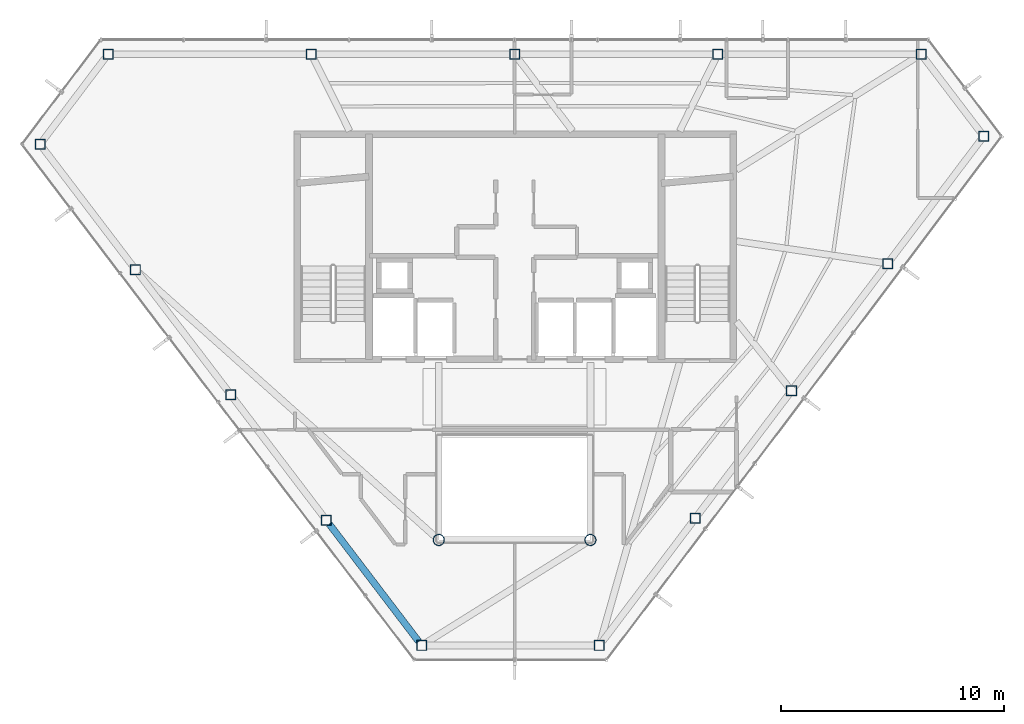
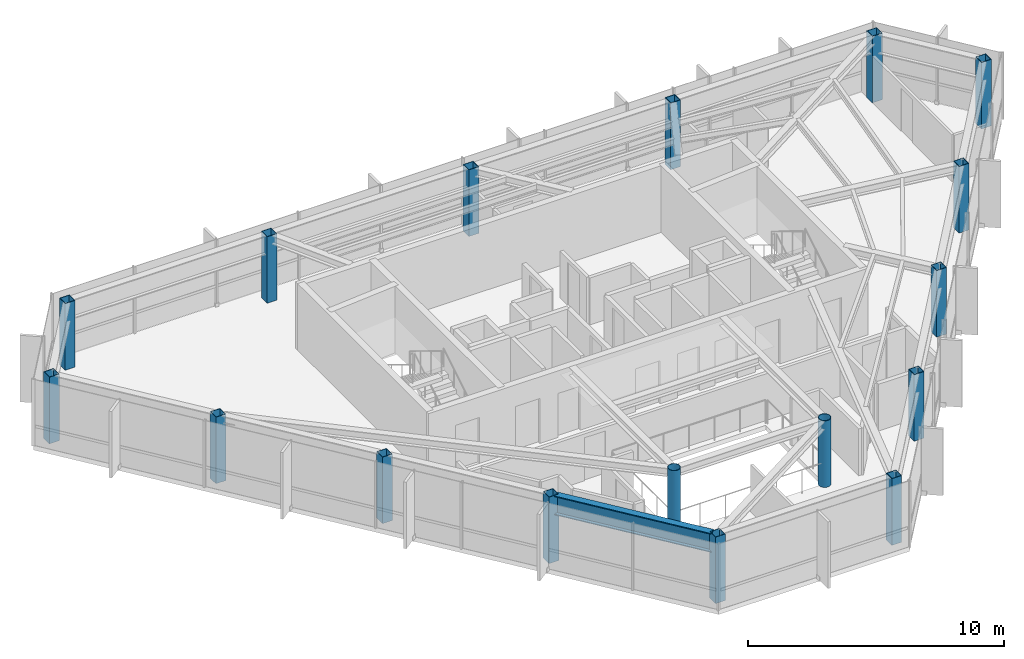
# One storey, part 1 of 23: 17 columns, 1 beam.
"""IFC4 building model written with IfcOpenShell, lengths in metres."""

from ifc_helpers import new_model, si_unit, direction, frame, origin, origin_2d, place, context, subcontext, project, spatial, hollow_rectangle, hollow_circle, i_section, extrude, material, material_profile, profile_set, type_object, element, save


model = new_model("IFC4")

# Units and contexts
model_context = context("Model", 3, precision=1e-05, world=origin(), true_north=direction((0.0, 1.0)))
body_context = subcontext(model_context, "Body", "Model", "MODEL_VIEW")
ifc_project = project(units=[si_unit("LENGTHUNIT", "METRE"), si_unit("AREAUNIT", "SQUARE_METRE"), si_unit("VOLUMEUNIT", "CUBIC_METRE"), si_unit("PLANEANGLEUNIT", "RADIAN"), si_unit("MASSUNIT", "GRAM", prefix="KILO")], contexts=[model_context])

# Site, building, storey
site_placement = place(None, origin())
site = spatial("IfcSite", under=ifc_project, at=site_placement, CompositionType="ELEMENT")
building_placement = place(site_placement, origin())
building = spatial("IfcBuilding", under=site, at=building_placement, Name="Zarrinselat Tower", CompositionType="ELEMENT")
storey_placement = place(building_placement, frame((0.0, 0.0, 282.199951171875)))
storey = spatial("IfcBuildingStorey", under=building, at=storey_placement, Name="L72", CompositionType="ELEMENT", Elevation=282.199951171875)

# Columns
ifc_material_1 = material(Name="Steel S355J2", Category="steel")
ifc_material_profile_1 = material_profile(ifc_material_1, hollow_circle(Radius=0.25390625, WallThickness=0.02001953125, at=origin_2d()), Name="CHS 508x20")
ifc_profile_set_1 = profile_set([ifc_material_profile_1], Name="Steel S355J2")
column_type_1 = type_object("IfcColumnType", Name="COL-CHS508", PredefinedType="COLUMN", material=ifc_profile_set_1)
for number, where, z_axis, x_axis, name in (
    (1, (35.0, 25.199951171875, 0.0), (0.0, 0.0, 1.0), (1.0, 0.0, 0.0), "L72 Atrium Corner Column 1"),
    (2, (41.800048828125, 25.199951171875, 0.0), (0.0, 0.0, 1.0), (1.0, 0.0, 0.0), "L72 Atrium Corner Column 2"),
):
    element("IfcColumn", number, at=place(storey_placement, frame(where, z_axis=z_axis, x_axis=x_axis)), inside=storey, type_object=column_type_1, Name=name, PredefinedType="COLUMN", context=body_context, shape_type="SweptSolid", body=[
        extrude(hollow_circle(Radius=0.25390625, WallThickness=0.02001953125, at=origin_2d()), origin(), (0.0, 0.0, 1.0), 3.179931640625),
    ])
ifc_material_2 = material(Name="Steel S355J2", Category="steel")
ifc_material_profile_2 = material_profile(ifc_material_2, hollow_rectangle(XDim=0.449951171875, YDim=0.449951171875, WallThickness=0.02197265625, at=origin_2d()), Name="SHS 450x450x22")
ifc_profile_set_2 = profile_set([ifc_material_profile_2], Name="Steel S355J2")
column_type_2 = type_object("IfcColumnType", Name="COL-SHS450", PredefinedType="COLUMN", material=ifc_profile_set_2)
for number, where, z_axis, x_axis, name in (
    (3, (56.63330078125, 46.9833984375, 0.0), (0.0, 0.0, 1.0), (1.0, 0.0, 0.0), "L72 Framed-Tube Column T01"),
    (4, (47.5166015625, 46.9833984375, 0.0), (0.0, 0.0, 1.0), (1.0, 0.0, 0.0), "L72 Framed-Tube Column T02"),
    (5, (38.400146484375, 46.9833984375, 0.0), (0.0, 0.0, 1.0), (1.0, 0.0, 0.0), "L72 Framed-Tube Column T03"),
    (6, (29.283447265625, 46.9833984375, 0.0), (0.0, 0.0, 1.0), (1.0, 0.0, 0.0), "L72 Framed-Tube Column T04"),
    (7, (20.166748046875, 46.9833984375, 0.0), (0.0, 0.0, 1.0), (1.0, 0.0, 0.0), "L72 Framed-Tube Column T05"),
    (8, (17.119384765625, 42.94580078125, 0.0), (0.0, 0.0, 1.0), (1.0, 0.0, 0.0), "L72 Framed-Tube Column T06"),
    (9, (21.3974609375, 37.32666015625, 0.0), (0.0, 0.0, 1.0), (1.0, 0.0, 0.0), "L72 Framed-Tube Column T07"),
    (10, (25.675537109375, 31.70751953125, 0.0), (0.0, 0.0, 1.0), (1.0, 0.0, 0.0), "L72 Framed-Tube Column T08"),
    (11, (29.953857421875, 26.08837890625, 0.0), (0.0, 0.0, 1.0), (1.0, 0.0, 0.0), "L72 Framed-Tube Column T09"),
    (12, (34.23193359375, 20.468994140625, 0.0), (0.0, 0.0, 1.0), (1.0, 0.0, 0.0), "L72 Framed-Tube Column T10"),
    (13, (42.198974609375, 20.468994140625, 0.0), (0.0, 0.0, 1.0), (1.0, 0.0, 0.0), "L72 Framed-Tube Column T11"),
    (14, (46.5078125, 26.177734375, 0.0), (0.0, 0.0, 1.0), (1.0, 0.0, 0.0), "L72 Framed-Tube Column T12"),
    (15, (50.81689453125, 31.886474609375, 0.0), (0.0, 0.0, 1.0), (1.0, 0.0, 0.0), "L72 Framed-Tube Column T13"),
    (16, (55.125732421875, 37.59521484375, 0.0), (0.0, 0.0, 1.0), (1.0, 0.0, 0.0), "L72 Framed-Tube Column T14"),
    (17, (59.4345703125, 43.303955078125, 0.0), (0.0, 0.0, 1.0), (1.0, 0.0, 0.0), "L72 Framed-Tube Column T15"),
):
    element("IfcColumn", number, at=place(storey_placement, frame(where, z_axis=z_axis, x_axis=x_axis)), inside=storey, type_object=column_type_2, Name=name, PredefinedType="COLUMN", context=body_context, shape_type="SweptSolid", body=[
        extrude(hollow_rectangle(XDim=0.449951171875, YDim=0.449951171875, WallThickness=0.02197265625, at=origin_2d()), origin(), (0.0, 0.0, 1.0), 3.179931640625),
    ])

# Beam
ifc_material_3 = material(Name="Steel S460M", Category="steel")
ifc_material_profile_3 = material_profile(ifc_material_3, i_section(OverallWidth=0.302001953125, OverallDepth=0.909912109375, WebThickness=0.02099609375, FlangeThickness=0.0400390625, at=origin_2d()), Name="HEM 900")
ifc_profile_set_3 = profile_set([ifc_material_profile_3], Name="Steel S460M")
beam_type = type_object("IfcBeamType", Name="BM-HEM900", PredefinedType="BEAM", material=ifc_profile_set_3)
beam_placement = place(storey_placement, frame((30.082763671875, 25.918701171875, 2.72509765625), z_axis=(0.605793795284, -0.795621692512, 0.0), x_axis=(0.795621692512, 0.605793795284, 0.0)))
element("IfcBeam", 18, at=beam_placement, inside=storey, type_object=beam_type, Name="L72 Perimeter Spandrel Girder SP09", PredefinedType="BEAM", context=body_context, shape_type="SweptSolid", body=[
    extrude(i_section(OverallWidth=0.302001953125, OverallDepth=0.909912109375, WebThickness=0.02099609375, FlangeThickness=0.0400390625, at=origin_2d()), origin(), (0.0, 0.0, 1.0), 6.636474609375),
])

save(model, "model.ifc")
